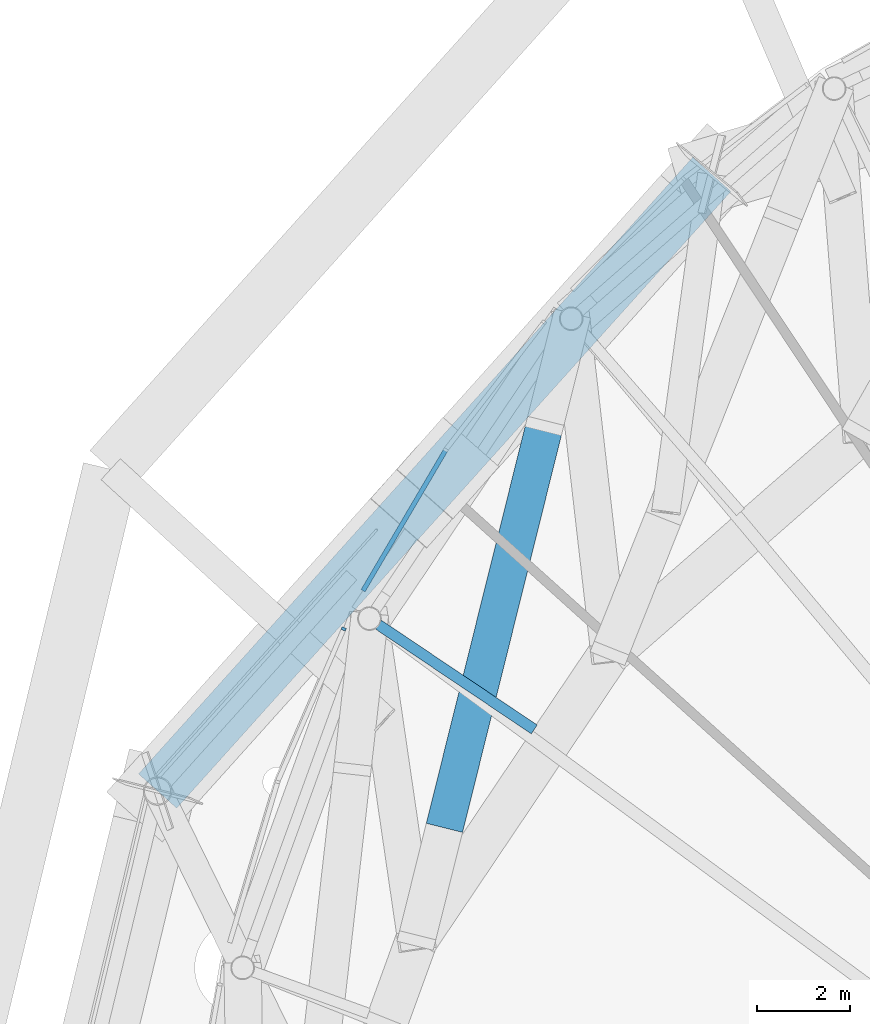
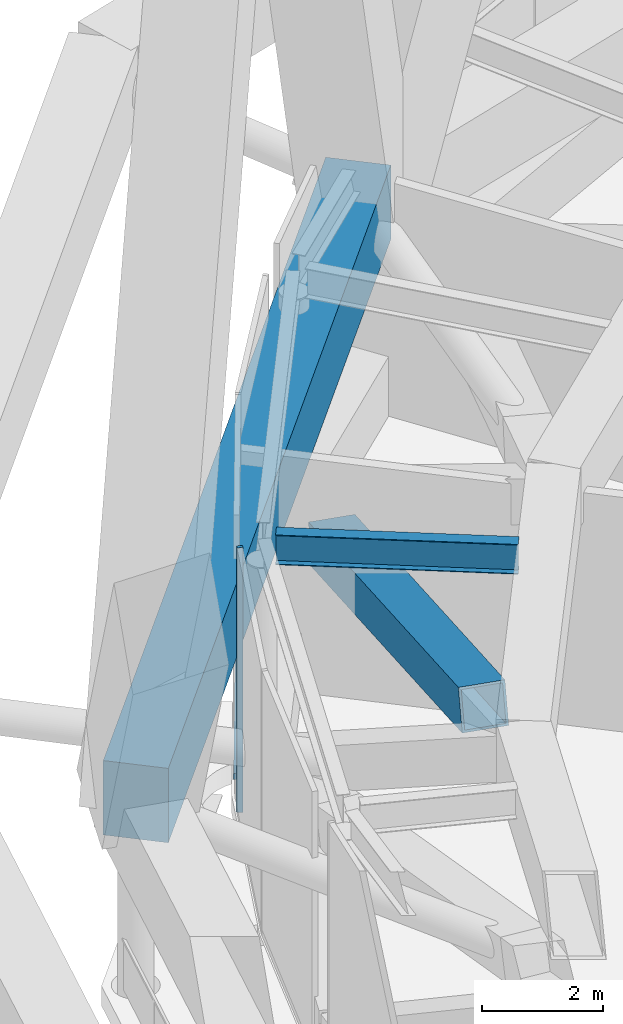
# One storey, part 24 of 65: 3 members, 2 beams, 2 elements without a shape of their own.
"""IFC4 building model written with IfcOpenShell, lengths in metres."""

import ifcopenshell
import ifcopenshell.guid

model = None  # the IFC model being written
_history = None  # IfcOwnerHistory: only IFC2X3 demands one
_inside = {}  # id of a spatial element -> (the spatial element, [elements in it])
_under = {}  # id of a project, library or spatial element -> (it, [spatial elements below it])
_declared = {}  # id of a project -> (the project, [libraries it declares])
_typed = {}  # id of a type object -> (the type object, [elements of that type])
_made_of = {}  # id of a material, layer set ... -> (it, [elements and type objects made of it])


def new_model(schema):
    """Start an empty IFC model of exactly this schema.

    Asked for "IFC4X3", IfcOpenShell would pick the latest addendum, in which some entities
    have other attributes; the version numbers below select the first issue.
    IFC2X3 requires an IfcOwnerHistory on every rooted entity: one is made here for all.
    """
    global model, _history
    if schema == "IFC4X3":
        model = ifcopenshell.file(schema_version=(4, 3, 0, 0))
    else:
        model = ifcopenshell.file(schema=schema)
    _inside.clear()
    _under.clear()
    _declared.clear()
    _typed.clear()
    _made_of.clear()
    _history = None
    if model.schema == "IFC2X3":
        org = make("IfcOrganization", Name="unknown")
        user = make(
            "IfcPersonAndOrganization",
            ThePerson=make("IfcPerson", FamilyName="unknown"),
            TheOrganization=org,
        )
        app = make(
            "IfcApplication",
            ApplicationDeveloper=org,
            Version="unknown",
            ApplicationFullName="unknown",
            ApplicationIdentifier="unknown",
        )
        _history = make(
            "IfcOwnerHistory",
            OwningUser=user,
            OwningApplication=app,
            ChangeAction="ADDED",
            CreationDate=0,
        )
    return model


def make(cls, **values):
    """One entity of the class cls with the attributes given. An attribute that is None is left unset."""
    return model.create_entity(
        cls, **{name: value for name, value in values.items() if value is not None}
    )


def rooted(cls, **values):
    """An entity with a GlobalId (a new one), such as an element, a storey or a relation."""
    return make(cls, GlobalId=ifcopenshell.guid.new(), OwnerHistory=_history, **values)


def si_unit(unit_type, name, prefix=None):
    """IfcSIUnit, for example si_unit("LENGTHUNIT", "METRE", prefix="MILLI")."""
    return make("IfcSIUnit", UnitType=unit_type, Prefix=prefix, Name=name)


def assignment(units):
    """IfcUnitAssignment: the units of a project."""
    return None if units is None else make("IfcUnitAssignment", Units=units)


def point(xyz):
    """IfcCartesianPoint."""
    return None if xyz is None else make("IfcCartesianPoint", Coordinates=xyz)


def direction(xyz):
    """IfcDirection."""
    return None if xyz is None else make("IfcDirection", DirectionRatios=xyz)


def frame(location, z_axis=None, x_axis=None):
    """IfcAxis2Placement3D, a coordinate frame: its origin and axes. An axis left out is left unset."""
    return make(
        "IfcAxis2Placement3D",
        Location=point(location),
        Axis=direction(z_axis),
        RefDirection=direction(x_axis),
    )


def frame_2d(location, x_axis=None):
    """IfcAxis2Placement2D, a coordinate frame in the plane: its origin and x axis."""
    return make(
        "IfcAxis2Placement2D", Location=point(location), RefDirection=direction(x_axis)
    )


def origin():
    """The frame at (0, 0, 0) with its axes left unset."""
    return frame((0.0, 0.0, 0.0))


def origin_2d():
    """The frame at (0, 0) in the plane with its x axis left unset."""
    return frame_2d((0.0, 0.0))


def place(relative_to, where):
    """IfcLocalPlacement: puts the frame where relative to a parent placement (None: the world)."""
    return make(
        "IfcLocalPlacement", PlacementRelTo=relative_to, RelativePlacement=where
    )


def context(
    kind, dimensions, precision=None, world=None, true_north=None, identifier=None
):
    """IfcGeometricRepresentationContext, for example the 3D "Model" context."""
    return make(
        "IfcGeometricRepresentationContext",
        ContextIdentifier=identifier,
        ContextType=kind,
        CoordinateSpaceDimension=dimensions,
        Precision=precision,
        WorldCoordinateSystem=world,
        TrueNorth=true_north,
    )


def subcontext(parent, identifier, kind, view, scale=None):
    """IfcGeometricRepresentationSubContext, for example "Body" below "Model"."""
    return make(
        "IfcGeometricRepresentationSubContext",
        ContextIdentifier=identifier,
        ContextType=kind,
        ParentContext=parent,
        TargetScale=scale,
        TargetView=view,
    )


def project(units=None, contexts=None):
    """IfcProject with its units and contexts."""
    return rooted(
        "IfcProject",
        Name="project",
        RepresentationContexts=contexts,
        UnitsInContext=assignment(units),
    )


def spatial(cls, under=None, at=None, **own):
    """A site, building, storey or space (cls), placed at a placement, below another one or the project."""
    s = rooted(cls, ObjectPlacement=at, **own)
    if under is not None:
        _under.setdefault(under.id(), (under, []))[1].append(s)
    return s


def profile(cls, at=None, kind="AREA", **sizes):
    """A parametric profile (cls). Its sizes go by their IFC names, for example OverallWidth=200.0."""
    return make(cls, ProfileType=kind, Position=at, **sizes)


def rectangle(**sizes):
    """IfcRectangleProfileDef."""
    return profile("IfcRectangleProfileDef", **sizes)


def hollow_rectangle(**sizes):
    """IfcRectangleHollowProfileDef."""
    return profile("IfcRectangleHollowProfileDef", **sizes)


def i_section(**sizes):
    """IfcIShapeProfileDef."""
    return profile("IfcIShapeProfileDef", **sizes)


def extrude(swept, where, along, depth):
    """IfcExtrudedAreaSolid: the profile swept, set in the frame where, extruded along a direction by depth."""
    return make(
        "IfcExtrudedAreaSolid",
        SweptArea=swept,
        Position=where,
        ExtrudedDirection=direction(along),
        Depth=depth,
    )


def shape(context_of_items, identifier, shape_type, items):
    """IfcShapeRepresentation: the items that make up one representation, for example the "Body"."""
    return make(
        "IfcShapeRepresentation",
        ContextOfItems=context_of_items,
        RepresentationIdentifier=identifier,
        RepresentationType=shape_type,
        Items=items,
    )


def material(Name=None, Category=None):
    """IfcMaterial."""
    return make("IfcMaterial", Name=Name, Category=Category)


def layer(
    of_material, thickness, ventilated=None, Name=None, Category=None, Priority=None
):
    """IfcMaterialLayer: one layer of a wall or slab, of a material (None: an air gap)."""
    return make(
        "IfcMaterialLayer",
        Material=of_material,
        LayerThickness=thickness,
        IsVentilated=ventilated,
        Name=Name,
        Category=Category,
        Priority=Priority,
    )


def layer_set(layers, Name=None):
    """IfcMaterialLayerSet."""
    return make("IfcMaterialLayerSet", MaterialLayers=layers, LayerSetName=Name)


def material_profile(
    of_material, cross_section, Name=None, Category=None, Priority=None
):
    """IfcMaterialProfile: a cross section and its material."""
    return make(
        "IfcMaterialProfile",
        Name=Name,
        Material=of_material,
        Profile=cross_section,
        Priority=Priority,
        Category=Category,
    )


def profile_set(profiles, Name=None, composite=None):
    """IfcMaterialProfileSet."""
    return make(
        "IfcMaterialProfileSet",
        Name=Name,
        MaterialProfiles=profiles,
        CompositeProfile=composite,
    )


def made_of(thing, what):
    """Note that an element or type object is made of a material, layer set ...; save() writes the relation."""
    if what is not None:
        _made_of.setdefault(what.id(), (what, []))[1].append(thing)
    return thing


def type_object(cls, material=None, **own):
    """A type object (cls), such as IfcWallType, which elements share."""
    return made_of(rooted(cls, **own), material)


def element(
    cls,
    number,
    at=None,
    inside=None,
    cuts=None,
    type_object=None,
    material=None,
    context=None,
    identifier="Body",
    shape_type=None,
    held_by="IfcProductDefinitionShape",
    body=None,
    shapes=None,
    **own,
):
    """One element of the class cls, such as IfcWall. Its Tag is "e" and its number.

    at: its placement. inside: the storey or other place that contains it. cuts: it is an
    opening in that element (IfcRelVoidsElement). A single representation is given by context,
    identifier, shape_type and body (its items); several are given by shapes. held_by: the class
    of the entity that holds the representations. save() writes the other relations.
    """
    e = rooted(cls, Tag="e%d" % number, ObjectPlacement=at, **own)
    if body is not None:
        shapes = [shape(context, identifier, shape_type, body)]
    if shapes is not None:
        e.Representation = make(held_by, Representations=shapes)
    if inside is not None:
        _inside.setdefault(inside.id(), (inside, []))[1].append(e)
    if cuts is not None:
        rooted(
            "IfcRelVoidsElement", RelatingBuildingElement=cuts, RelatedOpeningElement=e
        )
    if type_object is not None:
        _typed.setdefault(type_object.id(), (type_object, []))[1].append(e)
    return made_of(e, material)


def aggregate(whole, parts):
    """IfcRelAggregates: a whole, such as a stair, and the parts it consists of."""
    return rooted("IfcRelAggregates", RelatingObject=whole, RelatedObjects=parts)


def save(model, path):
    """Write the relations noted so far, then the file.

    IfcRelAggregates (storeys below a building ...), IfcRelContainedInSpatialStructure (elements
    in a storey), IfcRelDefinesByType, IfcRelAssociatesMaterial and IfcRelDeclares: one each for
    every whole, place, type object, material and project.
    """
    for whole, parts in _under.values():
        aggregate(whole, parts)
    for where, things in _inside.values():
        rooted(
            "IfcRelContainedInSpatialStructure",
            RelatedElements=things,
            RelatingStructure=where,
        )
    for kind, things in _typed.values():
        rooted("IfcRelDefinesByType", RelatedObjects=things, RelatingType=kind)
    for what, things in _made_of.values():
        rooted("IfcRelAssociatesMaterial", RelatedObjects=things, RelatingMaterial=what)
    for by, libraries in _declared.values():
        rooted("IfcRelDeclares", RelatingContext=by, RelatedDefinitions=libraries)
    model.write(path)


model = new_model("IFC4")

# Units and contexts
model_context = context("Model", 3, precision=1e-05, world=origin(), true_north=direction((0.0, 1.0)))
body_context = subcontext(model_context, "Body", "Model", "MODEL_VIEW")
ifc_project = project(units=[si_unit("LENGTHUNIT", "METRE"), si_unit("AREAUNIT", "SQUARE_METRE"), si_unit("VOLUMEUNIT", "CUBIC_METRE"), si_unit("PLANEANGLEUNIT", "RADIAN"), si_unit("MASSUNIT", "GRAM", prefix="KILO")], contexts=[model_context])

# Site, building, storey
site_placement = place(None, origin())
site = spatial("IfcSite", under=ifc_project, at=site_placement, CompositionType="ELEMENT")
building_placement = place(site_placement, origin())
building = spatial("IfcBuilding", under=site, at=building_placement, Name="Nagisa Residences", CompositionType="ELEMENT")
storey_placement = place(building_placement, frame((0.0, 0.0, 114.0)))
storey = spatial("IfcBuildingStorey", under=building, at=storey_placement, Name="L28", CompositionType="ELEMENT", Elevation=114.0)

# Beam
ifc_material_1 = material(Name="Steel ASTM A572 Gr 50", Category="steel")
ifc_material_profile_1 = material_profile(ifc_material_1, hollow_rectangle(XDim=0.800048828125, YDim=0.800048828125, WallThickness=0.044921875, at=origin_2d()), Name="BX 800x800x45")
ifc_profile_set_1 = profile_set([ifc_material_profile_1], Name="Steel ASTM A572 Gr 50")
beam_type_1 = type_object("IfcBeamType", Name="Belt diagonal 2 BX 800x800x45", PredefinedType="BEAM", material=ifc_profile_set_1)
beam_1_placement = place(storey_placement, frame((-21.602783203125, 22.748291015625, 1.31494140625), z_axis=(-0.231382672269, -0.929016778358, 0.288773067482), x_axis=(0.970356310883, -0.241678774265, 0.0)))
element("IfcBeam", 1, at=beam_1_placement, inside=storey, type_object=beam_type_1, Name="beam:L28:bt2db10", PredefinedType="BEAM", context=body_context, shape_type="SweptSolid", body=[
    extrude(hollow_rectangle(XDim=0.800048828125, YDim=0.800048828125, WallThickness=0.044921875, at=origin_2d()), origin(), (0.0, 0.0, 1.0), 9.38427734375),
])

# Curtain wall, member
ifc_material_2 = material(Name="Aluminium curtain wall system", Category="aluminium")
ifc_layer = layer(ifc_material_2, 0.159912109375)
ifc_layer_set = layer_set([ifc_layer], Name="CW5 CURTAIN WALL")
curtain_wall_type = type_object("IfcCurtainWallType", Name="CW5 CURTAIN WALL", PredefinedType="NOTDEFINED", material=ifc_layer_set)
curtain_wall_1_placement = place(storey_placement, origin())
curtain_wall_1 = element("IfcCurtainWall", 2, at=curtain_wall_1_placement, inside=storey, type_object=curtain_wall_type, Name="cw:CW5:L28:20", PredefinedType="NOTDEFINED")
ifc_material_3 = material(Name="Aluminium", Category="aluminium")
ifc_material_profile_2 = material_profile(ifc_material_3, rectangle(XDim=0.10009765625, YDim=0.06005859375, at=origin_2d()), Name="CW5 MULLION 100x60")
ifc_profile_set_2 = profile_set([ifc_material_profile_2], Name="Aluminium")
member_type_1 = type_object("IfcMemberType", Name="CW5 MULLION 100x60", PredefinedType="MULLION", material=ifc_profile_set_2)
member_1_placement = place(storey_placement, frame((-25.902099609375, 18.403076171875, 0.0), z_axis=(0.0, 0.0, 1.0), x_axis=(0.917543276295, -0.397635934147, 0.0)))
member_1 = element("IfcMember", 3, at=member_1_placement, type_object=member_type_1, Name="CW5 mullion", PredefinedType="MULLION", context=body_context, shape_type="SweptSolid", body=[
    extrude(rectangle(XDim=0.10009765625, YDim=0.06005859375, at=origin_2d()), origin(), (0.0, 0.0, 1.0), 5.340087890625),
])
aggregate(curtain_wall_1, [member_1])

curtain_wall_2_placement = place(storey_placement, origin())
curtain_wall_2 = element("IfcCurtainWall", 4, at=curtain_wall_2_placement, inside=storey, type_object=curtain_wall_type, Name="cw:CW5:L28:19", PredefinedType="NOTDEFINED")
ifc_material_4 = material(Name="Aluminium", Category="aluminium")
ifc_material_profile_3 = material_profile(ifc_material_4, rectangle(XDim=0.10009765625, YDim=0.1201171875, at=origin_2d()), Name="CW5 TRANSOM 100x120")
ifc_profile_set_3 = profile_set([ifc_material_profile_3], Name="Aluminium")
member_type_2 = type_object("IfcMemberType", Name="CW5 TRANSOM 100x120", PredefinedType="USERDEFINED", material=ifc_profile_set_3)
member_2_placement = place(storey_placement, frame((-23.702880859375, 22.26220703125, 0.06005859375), z_axis=(-0.506375259565, -0.862313224125, 0.0), x_axis=(0.862313224125, -0.506375259565, 0.0)))
member_2 = element("IfcMember", 5, at=member_2_placement, type_object=member_type_2, Name="CW5 transom", ObjectType="TRANSOM", PredefinedType="USERDEFINED", context=body_context, shape_type="SweptSolid", body=[
    extrude(rectangle(XDim=0.10009765625, YDim=0.1201171875, at=origin_2d()), origin(), (0.0, 0.0, 1.0), 3.52490234375),
])
aggregate(curtain_wall_2, [member_2])

# Member
ifc_material_5 = material(Name="Concrete C80", Category="concrete")
ifc_material_profile_4 = material_profile(ifc_material_5, rectangle(XDim=1.10009765625, YDim=1.5, at=origin_2d()), Name="C80 1100x1500")
ifc_profile_set_4 = profile_set([ifc_material_profile_4], Name="Concrete C80")
member_type_3 = type_object("IfcMemberType", Name="Cage ring 3 C80 1100x1500", PredefinedType="CHORD", material=ifc_profile_set_4)
member_3_placement = place(storey_placement, frame((-18.017578125, 28.1416015625, 3.699951171875), z_axis=(-0.668384358663, -0.743816072087, 0.0), x_axis=(0.743816072087, -0.668384358663, 0.0)))
element("IfcMember", 6, at=member_3_placement, inside=storey, type_object=member_type_3, Name="beam:L28:cg3r005", PredefinedType="CHORD", context=body_context, shape_type="SweptSolid", body=[
    extrude(rectangle(XDim=1.10009765625, YDim=1.5, at=origin_2d()), origin(), (0.0, 0.0, 1.0), 17.762451171875),
])

# Beam
ifc_material_6 = material(Name="Steel ASTM A572 Gr 50", Category="steel")
ifc_material_profile_5 = material_profile(ifc_material_6, i_section(OverallWidth=0.22802734375, OverallDepth=0.60302734375, WebThickness=0.010498046875, FlangeThickness=0.014892578125, at=origin_2d()), Name="W610x101")
ifc_profile_set_5 = profile_set([ifc_material_profile_5], Name="Steel ASTM A572 Gr 50")
beam_type_2 = type_object("IfcBeamType", Name="Garden radial beam W610x101", PredefinedType="BEAM", material=ifc_profile_set_5)
beam_2_placement = place(storey_placement, frame((-25.157470703125, 18.49462890625, 5.03857421875), z_axis=(0.829706250989, -0.558200266097, 0.0), x_axis=(0.558200266097, 0.829706250989, 0.0)))
element("IfcBeam", 7, at=beam_2_placement, inside=storey, type_object=beam_type_2, Name="beam:L28:bt2gr11", PredefinedType="BEAM", context=body_context, shape_type="SweptSolid", body=[
    extrude(i_section(OverallWidth=0.22802734375, OverallDepth=0.60302734375, WebThickness=0.010498046875, FlangeThickness=0.014892578125, at=origin_2d()), origin(), (0.0, 0.0, 1.0), 4.0185546875),
])

save(model, "model.ifc")
